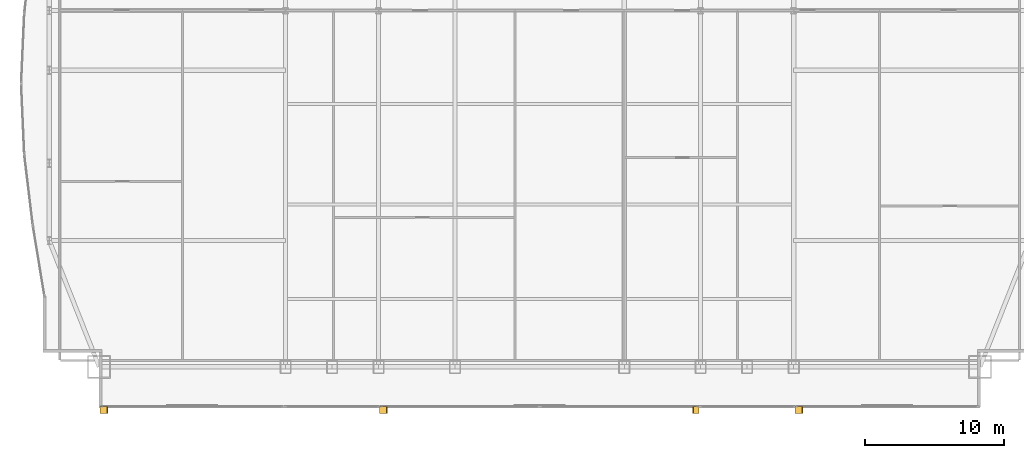
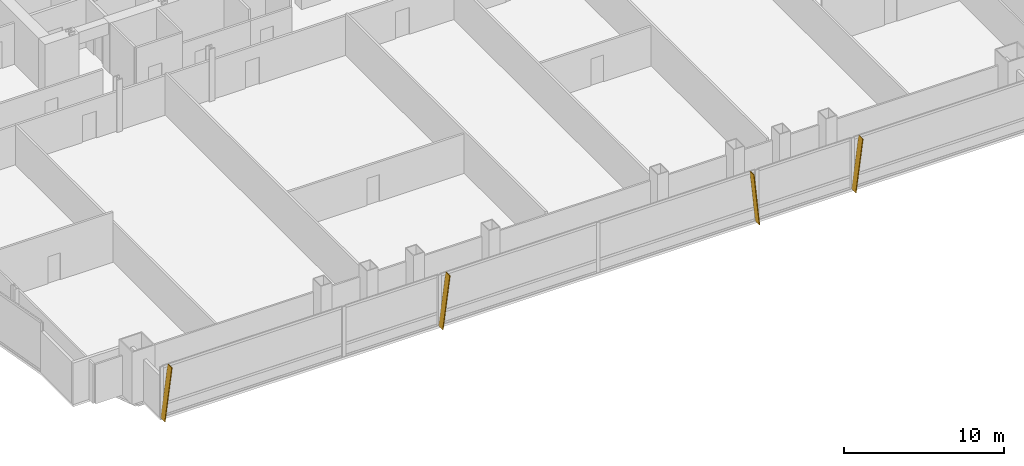
# One storey, part 31 of 32: 4 shading devices.
"""IFC4 building model written with IfcOpenShell, lengths in metres."""

import ifcopenshell
import ifcopenshell.guid

model = None  # the IFC model being written
_history = None  # IfcOwnerHistory: only IFC2X3 demands one
_inside = {}  # id of a spatial element -> (the spatial element, [elements in it])
_under = {}  # id of a project, library or spatial element -> (it, [spatial elements below it])
_declared = {}  # id of a project -> (the project, [libraries it declares])
_typed = {}  # id of a type object -> (the type object, [elements of that type])
_made_of = {}  # id of a material, layer set ... -> (it, [elements and type objects made of it])


def new_model(schema):
    """Start an empty IFC model of exactly this schema.

    Asked for "IFC4X3", IfcOpenShell would pick the latest addendum, in which some entities
    have other attributes; the version numbers below select the first issue.
    IFC2X3 requires an IfcOwnerHistory on every rooted entity: one is made here for all.
    """
    global model, _history
    if schema == "IFC4X3":
        model = ifcopenshell.file(schema_version=(4, 3, 0, 0))
    else:
        model = ifcopenshell.file(schema=schema)
    _inside.clear()
    _under.clear()
    _declared.clear()
    _typed.clear()
    _made_of.clear()
    _history = None
    if model.schema == "IFC2X3":
        org = make("IfcOrganization", Name="unknown")
        user = make(
            "IfcPersonAndOrganization",
            ThePerson=make("IfcPerson", FamilyName="unknown"),
            TheOrganization=org,
        )
        app = make(
            "IfcApplication",
            ApplicationDeveloper=org,
            Version="unknown",
            ApplicationFullName="unknown",
            ApplicationIdentifier="unknown",
        )
        _history = make(
            "IfcOwnerHistory",
            OwningUser=user,
            OwningApplication=app,
            ChangeAction="ADDED",
            CreationDate=0,
        )
    return model


def make(cls, **values):
    """One entity of the class cls with the attributes given. An attribute that is None is left unset."""
    return model.create_entity(
        cls, **{name: value for name, value in values.items() if value is not None}
    )


def rooted(cls, **values):
    """An entity with a GlobalId (a new one), such as an element, a storey or a relation."""
    return make(cls, GlobalId=ifcopenshell.guid.new(), OwnerHistory=_history, **values)


def si_unit(unit_type, name, prefix=None):
    """IfcSIUnit, for example si_unit("LENGTHUNIT", "METRE", prefix="MILLI")."""
    return make("IfcSIUnit", UnitType=unit_type, Prefix=prefix, Name=name)


def assignment(units):
    """IfcUnitAssignment: the units of a project."""
    return None if units is None else make("IfcUnitAssignment", Units=units)


def point(xyz):
    """IfcCartesianPoint."""
    return None if xyz is None else make("IfcCartesianPoint", Coordinates=xyz)


def direction(xyz):
    """IfcDirection."""
    return None if xyz is None else make("IfcDirection", DirectionRatios=xyz)


def frame(location, z_axis=None, x_axis=None):
    """IfcAxis2Placement3D, a coordinate frame: its origin and axes. An axis left out is left unset."""
    return make(
        "IfcAxis2Placement3D",
        Location=point(location),
        Axis=direction(z_axis),
        RefDirection=direction(x_axis),
    )


def origin():
    """The frame at (0, 0, 0) with its axes left unset."""
    return frame((0.0, 0.0, 0.0))


def place(relative_to, where):
    """IfcLocalPlacement: puts the frame where relative to a parent placement (None: the world)."""
    return make(
        "IfcLocalPlacement", PlacementRelTo=relative_to, RelativePlacement=where
    )


def context(
    kind, dimensions, precision=None, world=None, true_north=None, identifier=None
):
    """IfcGeometricRepresentationContext, for example the 3D "Model" context."""
    return make(
        "IfcGeometricRepresentationContext",
        ContextIdentifier=identifier,
        ContextType=kind,
        CoordinateSpaceDimension=dimensions,
        Precision=precision,
        WorldCoordinateSystem=world,
        TrueNorth=true_north,
    )


def subcontext(parent, identifier, kind, view, scale=None):
    """IfcGeometricRepresentationSubContext, for example "Body" below "Model"."""
    return make(
        "IfcGeometricRepresentationSubContext",
        ContextIdentifier=identifier,
        ContextType=kind,
        ParentContext=parent,
        TargetScale=scale,
        TargetView=view,
    )


def project(units=None, contexts=None):
    """IfcProject with its units and contexts."""
    return rooted(
        "IfcProject",
        Name="project",
        RepresentationContexts=contexts,
        UnitsInContext=assignment(units),
    )


def spatial(cls, under=None, at=None, **own):
    """A site, building, storey or space (cls), placed at a placement, below another one or the project."""
    s = rooted(cls, ObjectPlacement=at, **own)
    if under is not None:
        _under.setdefault(under.id(), (under, []))[1].append(s)
    return s


def polyline(points):
    """IfcPolyline through the points."""
    return make("IfcPolyline", Points=[point(p) for p in points])


def outline(outer, holes=None, kind="AREA"):
    """IfcArbitraryClosedProfileDef: a profile drawn as a closed curve; with holes, ...WithVoids."""
    if holes is None:
        return make("IfcArbitraryClosedProfileDef", ProfileType=kind, OuterCurve=outer)
    return make(
        "IfcArbitraryProfileDefWithVoids",
        ProfileType=kind,
        OuterCurve=outer,
        InnerCurves=holes,
    )


def extrude(swept, where, along, depth):
    """IfcExtrudedAreaSolid: the profile swept, set in the frame where, extruded along a direction by depth."""
    return make(
        "IfcExtrudedAreaSolid",
        SweptArea=swept,
        Position=where,
        ExtrudedDirection=direction(along),
        Depth=depth,
    )


def shape(context_of_items, identifier, shape_type, items):
    """IfcShapeRepresentation: the items that make up one representation, for example the "Body"."""
    return make(
        "IfcShapeRepresentation",
        ContextOfItems=context_of_items,
        RepresentationIdentifier=identifier,
        RepresentationType=shape_type,
        Items=items,
    )


def material(Name=None, Category=None):
    """IfcMaterial."""
    return make("IfcMaterial", Name=Name, Category=Category)


def layer(
    of_material, thickness, ventilated=None, Name=None, Category=None, Priority=None
):
    """IfcMaterialLayer: one layer of a wall or slab, of a material (None: an air gap)."""
    return make(
        "IfcMaterialLayer",
        Material=of_material,
        LayerThickness=thickness,
        IsVentilated=ventilated,
        Name=Name,
        Category=Category,
        Priority=Priority,
    )


def layer_set(layers, Name=None):
    """IfcMaterialLayerSet."""
    return make("IfcMaterialLayerSet", MaterialLayers=layers, LayerSetName=Name)


def made_of(thing, what):
    """Note that an element or type object is made of a material, layer set ...; save() writes the relation."""
    if what is not None:
        _made_of.setdefault(what.id(), (what, []))[1].append(thing)
    return thing


def type_object(cls, material=None, **own):
    """A type object (cls), such as IfcWallType, which elements share."""
    return made_of(rooted(cls, **own), material)


def element(
    cls,
    number,
    at=None,
    inside=None,
    cuts=None,
    type_object=None,
    material=None,
    context=None,
    identifier="Body",
    shape_type=None,
    held_by="IfcProductDefinitionShape",
    body=None,
    shapes=None,
    **own,
):
    """One element of the class cls, such as IfcWall. Its Tag is "e" and its number.

    at: its placement. inside: the storey or other place that contains it. cuts: it is an
    opening in that element (IfcRelVoidsElement). A single representation is given by context,
    identifier, shape_type and body (its items); several are given by shapes. held_by: the class
    of the entity that holds the representations. save() writes the other relations.
    """
    e = rooted(cls, Tag="e%d" % number, ObjectPlacement=at, **own)
    if body is not None:
        shapes = [shape(context, identifier, shape_type, body)]
    if shapes is not None:
        e.Representation = make(held_by, Representations=shapes)
    if inside is not None:
        _inside.setdefault(inside.id(), (inside, []))[1].append(e)
    if cuts is not None:
        rooted(
            "IfcRelVoidsElement", RelatingBuildingElement=cuts, RelatedOpeningElement=e
        )
    if type_object is not None:
        _typed.setdefault(type_object.id(), (type_object, []))[1].append(e)
    return made_of(e, material)


def aggregate(whole, parts):
    """IfcRelAggregates: a whole, such as a stair, and the parts it consists of."""
    return rooted("IfcRelAggregates", RelatingObject=whole, RelatedObjects=parts)


def save(model, path):
    """Write the relations noted so far, then the file.

    IfcRelAggregates (storeys below a building ...), IfcRelContainedInSpatialStructure (elements
    in a storey), IfcRelDefinesByType, IfcRelAssociatesMaterial and IfcRelDeclares: one each for
    every whole, place, type object, material and project.
    """
    for whole, parts in _under.values():
        aggregate(whole, parts)
    for where, things in _inside.values():
        rooted(
            "IfcRelContainedInSpatialStructure",
            RelatedElements=things,
            RelatingStructure=where,
        )
    for kind, things in _typed.values():
        rooted("IfcRelDefinesByType", RelatedObjects=things, RelatingType=kind)
    for what, things in _made_of.values():
        rooted("IfcRelAssociatesMaterial", RelatedObjects=things, RelatingMaterial=what)
    for by, libraries in _declared.values():
        rooted("IfcRelDeclares", RelatingContext=by, RelatedDefinitions=libraries)
    model.write(path)


model = new_model("IFC4")

# Units and contexts
model_context = context("Model", 3, precision=1e-05, world=origin(), true_north=direction((0.0, 1.0)))
body_context = subcontext(model_context, "Body", "Model", "MODEL_VIEW")
ifc_project = project(units=[si_unit("LENGTHUNIT", "METRE"), si_unit("AREAUNIT", "SQUARE_METRE"), si_unit("VOLUMEUNIT", "CUBIC_METRE"), si_unit("PLANEANGLEUNIT", "RADIAN"), si_unit("MASSUNIT", "GRAM", prefix="KILO")], contexts=[model_context])

# Site, building, storey
site_placement = place(None, origin())
site = spatial("IfcSite", under=ifc_project, at=site_placement, CompositionType="ELEMENT")
building_placement = place(site_placement, origin())
building = spatial("IfcBuilding", under=site, at=building_placement, Name="Khoronbel Lancet Exchange", CompositionType="ELEMENT")
storey_placement = place(building_placement, frame((0.0, 0.0, 65.800048828125)))
storey = spatial("IfcBuildingStorey", under=building, at=storey_placement, Name="L15", CompositionType="ELEMENT", Elevation=65.800048828125)

# Shading devices
ifc_material = material(Name="Bronze-Anodised Aluminium 6063-T6", Category="aluminium")
ifc_layer = layer(ifc_material, 0.054931640625, Name="Bronze-Anodised Aluminium 6063-T6")
ifc_layer_set = layer_set([ifc_layer], Name="Bronze-Anodised Aluminium 6063-T6")
shading_device_type = type_object("IfcShadingDeviceType", Name="SHD-FIN1", PredefinedType="USERDEFINED", material=ifc_layer_set)
for number, where, z_axis, x_axis, name in (
    (1, (4.91259765625, 7.31005859375, -0.080078125), (-0.991889216598, 0.0, 0.127105397195), (0.0, -1.0, 0.0), "Slanted bronze solar fin CW-L15-SWV-0"),
    (2, (24.972412109375, 7.31005859375, -0.080078125), (-0.991881465906, 0.0, 0.127165866462), (0.0, -1.0, 0.0), "Slanted bronze solar fin CW-L15-SCV-0"),
):
    element("IfcShadingDevice", number, at=place(storey_placement, frame(where, z_axis=z_axis, x_axis=x_axis)), inside=storey, type_object=shading_device_type, Name=name, ObjectType="FIN", PredefinedType="USERDEFINED", context=body_context, shape_type="SweptSolid", body=[
        extrude(outline(polyline([(0.0, 0.0), (0.52001953125, 0.0), (0.52001953125, 3.97216796875), (0.0, 3.97216796875), (0.0, 0.0)])), origin(), (0.0, 0.0, -1.0), 0.054931640625),
    ])
shading_device_1_placement = place(storey_placement, frame((47.87255859375, 7.31005859375, -0.080078125), z_axis=(0.995011517869, 0.0, 0.099760108806), x_axis=(0.0, -1.0, 0.0)))
element("IfcShadingDevice", 3, at=shading_device_1_placement, inside=storey, type_object=shading_device_type, Name="Slanted bronze solar fin CW-L15-SCV-2", ObjectType="FIN", PredefinedType="USERDEFINED", context=body_context, shape_type="SweptSolid", body=[
    extrude(outline(polyline([(0.0, 0.0), (0.52001953125, 0.0), (0.52001953125, -3.959716796875), (0.0, -3.959716796875), (0.0, 0.0)])), origin(), (0.0, 0.0, -1.0), 0.054931640625),
])
shading_device_2_placement = place(storey_placement, frame((54.7724609375, 7.31005859375, -0.080078125), z_axis=(-0.991881465906, 0.0, 0.127165866462), x_axis=(0.0, -1.0, 0.0)))
element("IfcShadingDevice", 4, at=shading_device_2_placement, inside=storey, type_object=shading_device_type, Name="Slanted bronze solar fin CW-L15-SEV-0", ObjectType="FIN", PredefinedType="USERDEFINED", context=body_context, shape_type="SweptSolid", body=[
    extrude(outline(polyline([(0.0, 0.0), (0.52001953125, 0.0), (0.52001953125, 3.97216796875), (0.0, 3.97216796875), (0.0, 0.0)])), origin(), (0.0, 0.0, -1.0), 0.054931640625),
])

save(model, "model.ifc")
